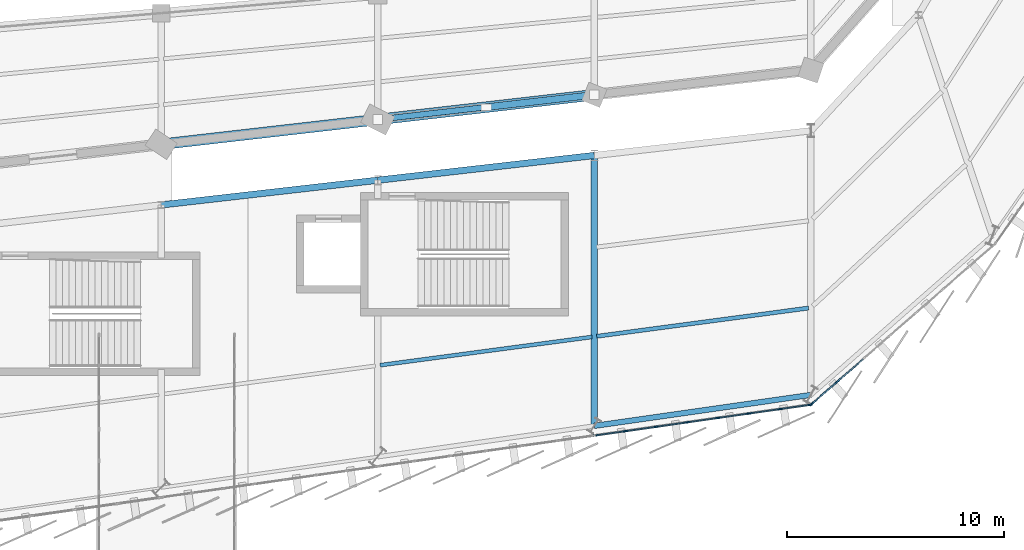
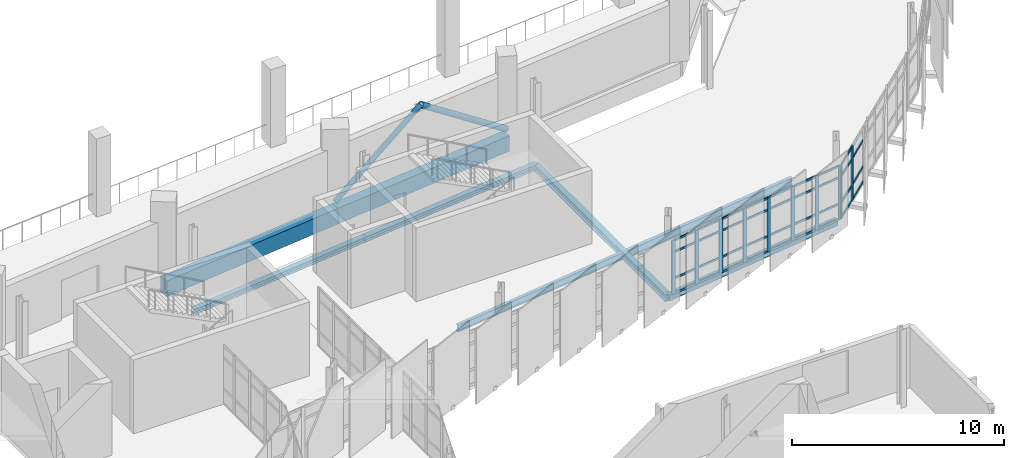
# One storey, part 64 of 125: 47 members, 8 beams, 2 elements without a shape of their own.
"""IFC4 building model written with IfcOpenShell, lengths in metres."""

from ifc_helpers import new_model, si_unit, direction, frame, origin, origin_2d, place, context, subcontext, project, spatial, rectangle, hollow_rectangle, hollow_circle, i_section, extrude, material, layer, layer_set, material_profile, profile_set, type_object, element, aggregate, save


model = new_model("IFC4")

# Units and contexts
model_context = context("Model", 3, precision=1e-05, world=origin(), true_north=direction((0.0, 1.0)))
body_context = subcontext(model_context, "Body", "Model", "MODEL_VIEW")
ifc_project = project(units=[si_unit("LENGTHUNIT", "METRE"), si_unit("AREAUNIT", "SQUARE_METRE"), si_unit("VOLUMEUNIT", "CUBIC_METRE"), si_unit("PLANEANGLEUNIT", "RADIAN"), si_unit("MASSUNIT", "GRAM", prefix="KILO")], contexts=[model_context])

# Site, building, storey
site_placement = place(None, origin())
site = spatial("IfcSite", under=ifc_project, at=site_placement, CompositionType="ELEMENT")
building_placement = place(site_placement, origin())
building = spatial("IfcBuilding", under=site, at=building_placement, Name="Sohan Crest Arena", CompositionType="ELEMENT")
storey_placement = place(building_placement, frame((0.0, 0.0, 9.0)))
storey = spatial("IfcBuildingStorey", under=building, at=storey_placement, Name="L02", CompositionType="ELEMENT", Elevation=9.0)

# Curtain wall, members
ifc_material_1 = material(Name="Thermally broken anodised aluminium", Category="aluminium")
ifc_layer_1 = layer(ifc_material_1, 0.179931640625, Name="Thermally broken anodised aluminium")
ifc_layer_set_1 = layer_set([ifc_layer_1], Name="Thermally broken anodised aluminium")
curtain_wall_type_1 = type_object("IfcCurtainWallType", Name="ARC-CW01", PredefinedType="NOTDEFINED", material=ifc_layer_set_1)
curtain_wall_1_placement = place(storey_placement, origin())
curtain_wall_1 = element("IfcCurtainWall", 1, at=curtain_wall_1_placement, inside=storey, type_object=curtain_wall_type_1, Name="Unitised curtain wall CW-066", PredefinedType="NOTDEFINED")
ifc_material_profile_1 = material_profile(ifc_material_1, rectangle(XDim=0.070068359375, YDim=0.199951171875, at=origin_2d()), Name="ALU-MULL 70x200")
ifc_profile_set_1 = profile_set([ifc_material_profile_1], Name="Thermally broken anodised aluminium")
member_type_1 = type_object("IfcMemberType", Name="ARC-CW-ML03", PredefinedType="MULLION", material=ifc_profile_set_1)
member_1_placement = place(storey_placement, frame((158.03466796875, 38.1259765625, 0.0), z_axis=(0.0, 0.0, 1.0), x_axis=(-0.141462933734, 0.989943553128, 0.0)))
member_1 = element("IfcMember", 2, at=member_1_placement, type_object=member_type_1, Name="CW-066 mullion 1", PredefinedType="MULLION", context=body_context, shape_type="SweptSolid", body=[
    extrude(rectangle(XDim=0.070068359375, YDim=0.199951171875, at=origin_2d()), origin(), (0.0, 0.0, 1.0), 3.1201171875),
])
member_2_placement = place(storey_placement, frame((159.428466796875, 38.3251953125, 0.0), z_axis=(0.0, 0.0, 1.0), x_axis=(-0.141462933734, 0.989943553128, 0.0)))
member_2 = element("IfcMember", 3, at=member_2_placement, type_object=member_type_1, Name="CW-066 mullion 2", PredefinedType="MULLION", context=body_context, shape_type="SweptSolid", body=[
    extrude(rectangle(XDim=0.070068359375, YDim=0.199951171875, at=origin_2d()), origin(), (0.0, 0.0, 1.0), 3.1201171875),
])
member_3_placement = place(storey_placement, frame((160.857177734375, 38.529296875, 0.0), z_axis=(0.0, 0.0, 1.0), x_axis=(-0.141462933734, 0.989943553128, 0.0)))
member_3 = element("IfcMember", 4, at=member_3_placement, type_object=member_type_1, Name="CW-066 mullion 3", PredefinedType="MULLION", context=body_context, shape_type="SweptSolid", body=[
    extrude(rectangle(XDim=0.070068359375, YDim=0.199951171875, at=origin_2d()), origin(), (0.0, 0.0, 1.0), 3.1201171875),
])
member_4_placement = place(storey_placement, frame((162.28564453125, 38.7333984375, 0.0), z_axis=(0.0, 0.0, 1.0), x_axis=(-0.141462933734, 0.989943553128, 0.0)))
member_4 = element("IfcMember", 5, at=member_4_placement, type_object=member_type_1, Name="CW-066 mullion 4", PredefinedType="MULLION", context=body_context, shape_type="SweptSolid", body=[
    extrude(rectangle(XDim=0.070068359375, YDim=0.199951171875, at=origin_2d()), origin(), (0.0, 0.0, 1.0), 3.1201171875),
])
member_5_placement = place(storey_placement, frame((163.71435546875, 38.9375, 0.0), z_axis=(0.0, 0.0, 1.0), x_axis=(-0.141462933734, 0.989943553128, 0.0)))
member_5 = element("IfcMember", 6, at=member_5_placement, type_object=member_type_1, Name="CW-066 mullion 5", PredefinedType="MULLION", context=body_context, shape_type="SweptSolid", body=[
    extrude(rectangle(XDim=0.070068359375, YDim=0.199951171875, at=origin_2d()), origin(), (0.0, 0.0, 1.0), 3.1201171875),
])
member_6_placement = place(storey_placement, frame((165.142822265625, 39.1416015625, 0.0), z_axis=(0.0, 0.0, 1.0), x_axis=(-0.141462933734, 0.989943553128, 0.0)))
member_6 = element("IfcMember", 7, at=member_6_placement, type_object=member_type_1, Name="CW-066 mullion 6", PredefinedType="MULLION", context=body_context, shape_type="SweptSolid", body=[
    extrude(rectangle(XDim=0.070068359375, YDim=0.199951171875, at=origin_2d()), origin(), (0.0, 0.0, 1.0), 3.1201171875),
])
member_7_placement = place(storey_placement, frame((166.571533203125, 39.345947265625, 0.0), z_axis=(0.0, 0.0, 1.0), x_axis=(-0.141462933734, 0.989943553128, 0.0)))
member_7 = element("IfcMember", 8, at=member_7_placement, type_object=member_type_1, Name="CW-066 mullion 7", PredefinedType="MULLION", context=body_context, shape_type="SweptSolid", body=[
    extrude(rectangle(XDim=0.070068359375, YDim=0.199951171875, at=origin_2d()), origin(), (0.0, 0.0, 1.0), 3.1201171875),
])
member_8_placement = place(storey_placement, frame((167.96533203125, 39.545166015625, 0.0), z_axis=(0.0, 0.0, 1.0), x_axis=(-0.141462933734, 0.989943553128, 0.0)))
member_8 = element("IfcMember", 9, at=member_8_placement, type_object=member_type_1, Name="CW-066 mullion 8", PredefinedType="MULLION", context=body_context, shape_type="SweptSolid", body=[
    extrude(rectangle(XDim=0.070068359375, YDim=0.199951171875, at=origin_2d()), origin(), (0.0, 0.0, 1.0), 3.1201171875),
])

ifc_layer_2 = layer(ifc_material_1, 0.199951171875, Name="Thermally broken anodised aluminium")
ifc_layer_set_2 = layer_set([ifc_layer_2], Name="Thermally broken anodised aluminium")
curtain_wall_type_2 = type_object("IfcCurtainWallType", Name="ARC-CW02", PredefinedType="NOTDEFINED", material=ifc_layer_set_2)
curtain_wall_2_placement = place(storey_placement, origin())
curtain_wall_2 = element("IfcCurtainWall", 10, at=curtain_wall_2_placement, inside=storey, type_object=curtain_wall_type_2, Name="Unitised curtain wall CW-067", PredefinedType="NOTDEFINED")
ifc_material_profile_2 = material_profile(ifc_material_1, rectangle(XDim=0.074951171875, YDim=0.219970703125, at=origin_2d()), Name="ALU-MULL 75x220")
ifc_profile_set_2 = profile_set([ifc_material_profile_2], Name="Thermally broken anodised aluminium")
member_type_2 = type_object("IfcMemberType", Name="ARC-CW-ML04", PredefinedType="MULLION", material=ifc_profile_set_2)
member_9_placement = place(storey_placement, frame((168.0283203125, 39.57470703125, 0.0), z_axis=(0.0, 0.0, 1.0), x_axis=(-0.657538815294, 0.753420670265, 0.0)))
member_9 = element("IfcMember", 11, at=member_9_placement, type_object=member_type_2, Name="CW-067 mullion 1", PredefinedType="MULLION", context=body_context, shape_type="SweptSolid", body=[
    extrude(rectangle(XDim=0.074951171875, YDim=0.219970703125, at=origin_2d()), origin(), (0.0, 0.0, 1.0), 3.1201171875),
])
member_10_placement = place(storey_placement, frame((169.2158203125, 40.611083984375, 0.0), z_axis=(0.0, 0.0, 1.0), x_axis=(-0.657538815294, 0.753420670265, 0.0)))
member_10 = element("IfcMember", 12, at=member_10_placement, type_object=member_type_2, Name="CW-067 mullion 2", PredefinedType="MULLION", context=body_context, shape_type="SweptSolid", body=[
    extrude(rectangle(XDim=0.074951171875, YDim=0.219970703125, at=origin_2d()), origin(), (0.0, 0.0, 1.0), 3.1201171875),
])

# Member
ifc_material_profile_3 = material_profile(ifc_material_1, rectangle(XDim=0.06005859375, YDim=0.1201171875, at=origin_2d()), Name="ALU-TRAN 60x120")
ifc_profile_set_3 = profile_set([ifc_material_profile_3], Name="Thermally broken anodised aluminium")
member_type_3 = type_object("IfcMemberType", Name="ARC-CW-TR01", PredefinedType="USERDEFINED", material=ifc_profile_set_3)
member_11_placement = place(storey_placement, frame((158.0693359375, 38.130859375, 0.030029296875), z_axis=(0.989927588819, 0.141574605404, 0.0), x_axis=(-0.141574605404, 0.989927588819, 0.0)))
member_11 = element("IfcMember", 13, at=member_11_placement, type_object=member_type_3, Name="CW-066 transom 1.1", ObjectType="TRANSOM", PredefinedType="USERDEFINED", context=body_context, shape_type="SweptSolid", body=[
    extrude(rectangle(XDim=0.06005859375, YDim=0.1201171875, at=origin_2d()), origin(), (0.0, 0.0, 1.0), 1.338134765625),
])

member_12_placement = place(storey_placement, frame((158.0693359375, 38.130859375, 0.89990234375), z_axis=(0.989927588819, 0.141574605404, 0.0), x_axis=(-0.141574605404, 0.989927588819, 0.0)))
member_12 = element("IfcMember", 14, at=member_12_placement, type_object=member_type_3, Name="CW-066 transom 1.2", ObjectType="TRANSOM", PredefinedType="USERDEFINED", context=body_context, shape_type="SweptSolid", body=[
    extrude(rectangle(XDim=0.06005859375, YDim=0.1201171875, at=origin_2d()), origin(), (0.0, 0.0, 1.0), 1.338134765625),
])

member_13_placement = place(storey_placement, frame((158.0693359375, 38.130859375, 2.419921875), z_axis=(0.989927588819, 0.141574605404, 0.0), x_axis=(-0.141574605404, 0.989927588819, 0.0)))
member_13 = element("IfcMember", 15, at=member_13_placement, type_object=member_type_3, Name="CW-066 transom 1.3", ObjectType="TRANSOM", PredefinedType="USERDEFINED", context=body_context, shape_type="SweptSolid", body=[
    extrude(rectangle(XDim=0.06005859375, YDim=0.1201171875, at=origin_2d()), origin(), (0.0, 0.0, 1.0), 1.338134765625),
])

member_14_placement = place(storey_placement, frame((158.0693359375, 38.130859375, 3.090087890625), z_axis=(0.989927588819, 0.141574605404, 0.0), x_axis=(-0.141574605404, 0.989927588819, 0.0)))
member_14 = element("IfcMember", 16, at=member_14_placement, type_object=member_type_3, Name="CW-066 transom 1.4", ObjectType="TRANSOM", PredefinedType="USERDEFINED", context=body_context, shape_type="SweptSolid", body=[
    extrude(rectangle(XDim=0.06005859375, YDim=0.1201171875, at=origin_2d()), origin(), (0.0, 0.0, 1.0), 1.338134765625),
])

member_15_placement = place(storey_placement, frame((159.463134765625, 38.330078125, 0.030029296875), z_axis=(0.989935265447, 0.141520917977, 0.0), x_axis=(-0.141520917977, 0.989935265447, 0.0)))
member_15 = element("IfcMember", 17, at=member_15_placement, type_object=member_type_3, Name="CW-066 transom 2.1", ObjectType="TRANSOM", PredefinedType="USERDEFINED", context=body_context, shape_type="SweptSolid", body=[
    extrude(rectangle(XDim=0.06005859375, YDim=0.1201171875, at=origin_2d()), origin(), (0.0, 0.0, 1.0), 1.373291015625),
])

member_16_placement = place(storey_placement, frame((159.463134765625, 38.330078125, 0.89990234375), z_axis=(0.989935265447, 0.141520917977, 0.0), x_axis=(-0.141520917977, 0.989935265447, 0.0)))
member_16 = element("IfcMember", 18, at=member_16_placement, type_object=member_type_3, Name="CW-066 transom 2.2", ObjectType="TRANSOM", PredefinedType="USERDEFINED", context=body_context, shape_type="SweptSolid", body=[
    extrude(rectangle(XDim=0.06005859375, YDim=0.1201171875, at=origin_2d()), origin(), (0.0, 0.0, 1.0), 1.373291015625),
])

member_17_placement = place(storey_placement, frame((159.463134765625, 38.330078125, 2.419921875), z_axis=(0.989935265447, 0.141520917977, 0.0), x_axis=(-0.141520917977, 0.989935265447, 0.0)))
member_17 = element("IfcMember", 19, at=member_17_placement, type_object=member_type_3, Name="CW-066 transom 2.3", ObjectType="TRANSOM", PredefinedType="USERDEFINED", context=body_context, shape_type="SweptSolid", body=[
    extrude(rectangle(XDim=0.06005859375, YDim=0.1201171875, at=origin_2d()), origin(), (0.0, 0.0, 1.0), 1.373291015625),
])

member_18_placement = place(storey_placement, frame((159.463134765625, 38.330078125, 3.090087890625), z_axis=(0.989935265447, 0.141520917977, 0.0), x_axis=(-0.141520917977, 0.989935265447, 0.0)))
member_18 = element("IfcMember", 20, at=member_18_placement, type_object=member_type_3, Name="CW-066 transom 2.4", ObjectType="TRANSOM", PredefinedType="USERDEFINED", context=body_context, shape_type="SweptSolid", body=[
    extrude(rectangle(XDim=0.06005859375, YDim=0.1201171875, at=origin_2d()), origin(), (0.0, 0.0, 1.0), 1.373291015625),
])

member_19_placement = place(storey_placement, frame((160.891845703125, 38.5341796875, 0.030029296875), z_axis=(0.989931703696, 0.141545830096, 0.0), x_axis=(-0.141545830096, 0.989931703696, 0.0)))
member_19 = element("IfcMember", 21, at=member_19_placement, type_object=member_type_3, Name="CW-066 transom 3.1", ObjectType="TRANSOM", PredefinedType="USERDEFINED", context=body_context, shape_type="SweptSolid", body=[
    extrude(rectangle(XDim=0.06005859375, YDim=0.1201171875, at=origin_2d()), origin(), (0.0, 0.0, 1.0), 1.373046875),
])

member_20_placement = place(storey_placement, frame((160.891845703125, 38.5341796875, 0.89990234375), z_axis=(0.989931703696, 0.141545830096, 0.0), x_axis=(-0.141545830096, 0.989931703696, 0.0)))
member_20 = element("IfcMember", 22, at=member_20_placement, type_object=member_type_3, Name="CW-066 transom 3.2", ObjectType="TRANSOM", PredefinedType="USERDEFINED", context=body_context, shape_type="SweptSolid", body=[
    extrude(rectangle(XDim=0.06005859375, YDim=0.1201171875, at=origin_2d()), origin(), (0.0, 0.0, 1.0), 1.373046875),
])

member_21_placement = place(storey_placement, frame((160.891845703125, 38.5341796875, 2.419921875), z_axis=(0.989931703696, 0.141545830096, 0.0), x_axis=(-0.141545830096, 0.989931703696, 0.0)))
member_21 = element("IfcMember", 23, at=member_21_placement, type_object=member_type_3, Name="CW-066 transom 3.3", ObjectType="TRANSOM", PredefinedType="USERDEFINED", context=body_context, shape_type="SweptSolid", body=[
    extrude(rectangle(XDim=0.06005859375, YDim=0.1201171875, at=origin_2d()), origin(), (0.0, 0.0, 1.0), 1.373046875),
])

member_22_placement = place(storey_placement, frame((160.891845703125, 38.5341796875, 3.090087890625), z_axis=(0.989931703696, 0.141545830096, 0.0), x_axis=(-0.141545830096, 0.989931703696, 0.0)))
member_22 = element("IfcMember", 24, at=member_22_placement, type_object=member_type_3, Name="CW-066 transom 3.4", ObjectType="TRANSOM", PredefinedType="USERDEFINED", context=body_context, shape_type="SweptSolid", body=[
    extrude(rectangle(XDim=0.06005859375, YDim=0.1201171875, at=origin_2d()), origin(), (0.0, 0.0, 1.0), 1.373046875),
])

member_23_placement = place(storey_placement, frame((162.3203125, 38.73828125, 0.030029296875), z_axis=(0.989935265447, 0.141520917977, 0.0), x_axis=(-0.141520917977, 0.989935265447, 0.0)))
member_23 = element("IfcMember", 25, at=member_23_placement, type_object=member_type_3, Name="CW-066 transom 4.1", ObjectType="TRANSOM", PredefinedType="USERDEFINED", context=body_context, shape_type="SweptSolid", body=[
    extrude(rectangle(XDim=0.06005859375, YDim=0.1201171875, at=origin_2d()), origin(), (0.0, 0.0, 1.0), 1.373291015625),
])

member_24_placement = place(storey_placement, frame((162.3203125, 38.73828125, 0.89990234375), z_axis=(0.989935265447, 0.141520917977, 0.0), x_axis=(-0.141520917977, 0.989935265447, 0.0)))
member_24 = element("IfcMember", 26, at=member_24_placement, type_object=member_type_3, Name="CW-066 transom 4.2", ObjectType="TRANSOM", PredefinedType="USERDEFINED", context=body_context, shape_type="SweptSolid", body=[
    extrude(rectangle(XDim=0.06005859375, YDim=0.1201171875, at=origin_2d()), origin(), (0.0, 0.0, 1.0), 1.373291015625),
])

member_25_placement = place(storey_placement, frame((162.3203125, 38.73828125, 2.419921875), z_axis=(0.989935265447, 0.141520917977, 0.0), x_axis=(-0.141520917977, 0.989935265447, 0.0)))
member_25 = element("IfcMember", 27, at=member_25_placement, type_object=member_type_3, Name="CW-066 transom 4.3", ObjectType="TRANSOM", PredefinedType="USERDEFINED", context=body_context, shape_type="SweptSolid", body=[
    extrude(rectangle(XDim=0.06005859375, YDim=0.1201171875, at=origin_2d()), origin(), (0.0, 0.0, 1.0), 1.373291015625),
])

member_26_placement = place(storey_placement, frame((162.3203125, 38.73828125, 3.090087890625), z_axis=(0.989935265447, 0.141520917977, 0.0), x_axis=(-0.141520917977, 0.989935265447, 0.0)))
member_26 = element("IfcMember", 28, at=member_26_placement, type_object=member_type_3, Name="CW-066 transom 4.4", ObjectType="TRANSOM", PredefinedType="USERDEFINED", context=body_context, shape_type="SweptSolid", body=[
    extrude(rectangle(XDim=0.06005859375, YDim=0.1201171875, at=origin_2d()), origin(), (0.0, 0.0, 1.0), 1.373291015625),
])

member_27_placement = place(storey_placement, frame((163.7490234375, 38.942626953125, 0.030029296875), z_axis=(0.989956605444, 0.141371564815, 0.0), x_axis=(-0.141371564815, 0.989956605444, 0.0)))
member_27 = element("IfcMember", 29, at=member_27_placement, type_object=member_type_3, Name="CW-066 transom 5.1", ObjectType="TRANSOM", PredefinedType="USERDEFINED", context=body_context, shape_type="SweptSolid", body=[
    extrude(rectangle(XDim=0.06005859375, YDim=0.1201171875, at=origin_2d()), origin(), (0.0, 0.0, 1.0), 1.372802734375),
])

member_28_placement = place(storey_placement, frame((163.7490234375, 38.942626953125, 0.89990234375), z_axis=(0.989956605444, 0.141371564815, 0.0), x_axis=(-0.141371564815, 0.989956605444, 0.0)))
member_28 = element("IfcMember", 30, at=member_28_placement, type_object=member_type_3, Name="CW-066 transom 5.2", ObjectType="TRANSOM", PredefinedType="USERDEFINED", context=body_context, shape_type="SweptSolid", body=[
    extrude(rectangle(XDim=0.06005859375, YDim=0.1201171875, at=origin_2d()), origin(), (0.0, 0.0, 1.0), 1.372802734375),
])

member_29_placement = place(storey_placement, frame((163.7490234375, 38.942626953125, 2.419921875), z_axis=(0.989956605444, 0.141371564815, 0.0), x_axis=(-0.141371564815, 0.989956605444, 0.0)))
member_29 = element("IfcMember", 31, at=member_29_placement, type_object=member_type_3, Name="CW-066 transom 5.3", ObjectType="TRANSOM", PredefinedType="USERDEFINED", context=body_context, shape_type="SweptSolid", body=[
    extrude(rectangle(XDim=0.06005859375, YDim=0.1201171875, at=origin_2d()), origin(), (0.0, 0.0, 1.0), 1.372802734375),
])

member_30_placement = place(storey_placement, frame((163.7490234375, 38.942626953125, 3.090087890625), z_axis=(0.989956605444, 0.141371564815, 0.0), x_axis=(-0.141371564815, 0.989956605444, 0.0)))
member_30 = element("IfcMember", 32, at=member_30_placement, type_object=member_type_3, Name="CW-066 transom 5.4", ObjectType="TRANSOM", PredefinedType="USERDEFINED", context=body_context, shape_type="SweptSolid", body=[
    extrude(rectangle(XDim=0.06005859375, YDim=0.1201171875, at=origin_2d()), origin(), (0.0, 0.0, 1.0), 1.372802734375),
])

member_31_placement = place(storey_placement, frame((165.177490234375, 39.146728515625, 0.030029296875), z_axis=(0.989960158519, 0.141346682116, 0.0), x_axis=(-0.141346682116, 0.989960158519, 0.0)))
member_31 = element("IfcMember", 33, at=member_31_placement, type_object=member_type_3, Name="CW-066 transom 6.1", ObjectType="TRANSOM", PredefinedType="USERDEFINED", context=body_context, shape_type="SweptSolid", body=[
    extrude(rectangle(XDim=0.06005859375, YDim=0.1201171875, at=origin_2d()), origin(), (0.0, 0.0, 1.0), 1.373046875),
])

member_32_placement = place(storey_placement, frame((165.177490234375, 39.146728515625, 0.89990234375), z_axis=(0.989960158519, 0.141346682116, 0.0), x_axis=(-0.141346682116, 0.989960158519, 0.0)))
member_32 = element("IfcMember", 34, at=member_32_placement, type_object=member_type_3, Name="CW-066 transom 6.2", ObjectType="TRANSOM", PredefinedType="USERDEFINED", context=body_context, shape_type="SweptSolid", body=[
    extrude(rectangle(XDim=0.06005859375, YDim=0.1201171875, at=origin_2d()), origin(), (0.0, 0.0, 1.0), 1.373046875),
])

member_33_placement = place(storey_placement, frame((165.177490234375, 39.146728515625, 2.419921875), z_axis=(0.989960158519, 0.141346682116, 0.0), x_axis=(-0.141346682116, 0.989960158519, 0.0)))
member_33 = element("IfcMember", 35, at=member_33_placement, type_object=member_type_3, Name="CW-066 transom 6.3", ObjectType="TRANSOM", PredefinedType="USERDEFINED", context=body_context, shape_type="SweptSolid", body=[
    extrude(rectangle(XDim=0.06005859375, YDim=0.1201171875, at=origin_2d()), origin(), (0.0, 0.0, 1.0), 1.373046875),
])

member_34_placement = place(storey_placement, frame((165.177490234375, 39.146728515625, 3.090087890625), z_axis=(0.989960158519, 0.141346682116, 0.0), x_axis=(-0.141346682116, 0.989960158519, 0.0)))
member_34 = element("IfcMember", 36, at=member_34_placement, type_object=member_type_3, Name="CW-066 transom 6.4", ObjectType="TRANSOM", PredefinedType="USERDEFINED", context=body_context, shape_type="SweptSolid", body=[
    extrude(rectangle(XDim=0.06005859375, YDim=0.1201171875, at=origin_2d()), origin(), (0.0, 0.0, 1.0), 1.373046875),
])

member_35_placement = place(storey_placement, frame((166.60595703125, 39.350830078125, 0.030029296875), z_axis=(0.989953142256, 0.141395813721, 0.0), x_axis=(-0.141395813721, 0.989953142256, 0.0)))
member_35 = element("IfcMember", 37, at=member_35_placement, type_object=member_type_3, Name="CW-066 transom 7.1", ObjectType="TRANSOM", PredefinedType="USERDEFINED", context=body_context, shape_type="SweptSolid", body=[
    extrude(rectangle(XDim=0.06005859375, YDim=0.1201171875, at=origin_2d()), origin(), (0.0, 0.0, 1.0), 1.338134765625),
])

member_36_placement = place(storey_placement, frame((166.60595703125, 39.350830078125, 0.89990234375), z_axis=(0.989953142256, 0.141395813721, 0.0), x_axis=(-0.141395813721, 0.989953142256, 0.0)))
member_36 = element("IfcMember", 38, at=member_36_placement, type_object=member_type_3, Name="CW-066 transom 7.2", ObjectType="TRANSOM", PredefinedType="USERDEFINED", context=body_context, shape_type="SweptSolid", body=[
    extrude(rectangle(XDim=0.06005859375, YDim=0.1201171875, at=origin_2d()), origin(), (0.0, 0.0, 1.0), 1.338134765625),
])

member_37_placement = place(storey_placement, frame((166.60595703125, 39.350830078125, 2.419921875), z_axis=(0.989953142256, 0.141395813721, 0.0), x_axis=(-0.141395813721, 0.989953142256, 0.0)))
member_37 = element("IfcMember", 39, at=member_37_placement, type_object=member_type_3, Name="CW-066 transom 7.3", ObjectType="TRANSOM", PredefinedType="USERDEFINED", context=body_context, shape_type="SweptSolid", body=[
    extrude(rectangle(XDim=0.06005859375, YDim=0.1201171875, at=origin_2d()), origin(), (0.0, 0.0, 1.0), 1.338134765625),
])

member_38_placement = place(storey_placement, frame((166.60595703125, 39.350830078125, 3.090087890625), z_axis=(0.989953142256, 0.141395813721, 0.0), x_axis=(-0.141395813721, 0.989953142256, 0.0)))
member_38 = element("IfcMember", 40, at=member_38_placement, type_object=member_type_3, Name="CW-066 transom 7.4", ObjectType="TRANSOM", PredefinedType="USERDEFINED", context=body_context, shape_type="SweptSolid", body=[
    extrude(rectangle(XDim=0.06005859375, YDim=0.1201171875, at=origin_2d()), origin(), (0.0, 0.0, 1.0), 1.338134765625),
])

aggregate(curtain_wall_1, [member_1, member_2, member_3, member_4, member_5, member_6, member_7, member_8, member_11, member_12, member_13, member_14, member_15, member_16, member_17, member_18, member_19, member_20, member_21, member_22, member_23, member_24, member_25, member_26, member_27, member_28, member_29, member_30, member_31, member_32, member_33, member_34, member_35, member_36, member_37, member_38])

ifc_material_profile_4 = material_profile(ifc_material_1, rectangle(XDim=0.06494140625, YDim=0.139892578125, at=origin_2d()), Name="ALU-TRAN 65x140")
ifc_profile_set_4 = profile_set([ifc_material_profile_4], Name="Thermally broken anodised aluminium")
member_type_4 = type_object("IfcMemberType", Name="ARC-CW-TR02", PredefinedType="USERDEFINED", material=ifc_profile_set_4)
member_39_placement = place(storey_placement, frame((168.056396484375, 39.599365234375, 0.032470703125), z_axis=(0.753452488749, 0.65750235528, 0.0), x_axis=(-0.65750235528, 0.753452488749, 0.0)))
member_39 = element("IfcMember", 41, at=member_39_placement, type_object=member_type_4, Name="CW-067 transom 1.1", ObjectType="TRANSOM", PredefinedType="USERDEFINED", context=body_context, shape_type="SweptSolid", body=[
    extrude(rectangle(XDim=0.06494140625, YDim=0.139892578125, at=origin_2d()), origin(), (0.0, 0.0, 1.0), 1.501220703125),
])

member_40_placement = place(storey_placement, frame((168.056396484375, 39.599365234375, 0.89990234375), z_axis=(0.753452488749, 0.65750235528, 0.0), x_axis=(-0.65750235528, 0.753452488749, 0.0)))
member_40 = element("IfcMember", 42, at=member_40_placement, type_object=member_type_4, Name="CW-067 transom 1.2", ObjectType="TRANSOM", PredefinedType="USERDEFINED", context=body_context, shape_type="SweptSolid", body=[
    extrude(rectangle(XDim=0.06494140625, YDim=0.139892578125, at=origin_2d()), origin(), (0.0, 0.0, 1.0), 1.501220703125),
])

member_41_placement = place(storey_placement, frame((168.056396484375, 39.599365234375, 2.419921875), z_axis=(0.753452488749, 0.65750235528, 0.0), x_axis=(-0.65750235528, 0.753452488749, 0.0)))
member_41 = element("IfcMember", 43, at=member_41_placement, type_object=member_type_4, Name="CW-067 transom 1.3", ObjectType="TRANSOM", PredefinedType="USERDEFINED", context=body_context, shape_type="SweptSolid", body=[
    extrude(rectangle(XDim=0.06494140625, YDim=0.139892578125, at=origin_2d()), origin(), (0.0, 0.0, 1.0), 1.501220703125),
])

member_42_placement = place(storey_placement, frame((168.056396484375, 39.599365234375, 3.08740234375), z_axis=(0.753452488749, 0.65750235528, 0.0), x_axis=(-0.65750235528, 0.753452488749, 0.0)))
member_42 = element("IfcMember", 44, at=member_42_placement, type_object=member_type_4, Name="CW-067 transom 1.4", ObjectType="TRANSOM", PredefinedType="USERDEFINED", context=body_context, shape_type="SweptSolid", body=[
    extrude(rectangle(XDim=0.06494140625, YDim=0.139892578125, at=origin_2d()), origin(), (0.0, 0.0, 1.0), 1.501220703125),
])

member_43_placement = place(storey_placement, frame((169.243896484375, 40.6357421875, 0.032470703125), z_axis=(0.753401788907, 0.657560449291, 0.0), x_axis=(-0.657560449291, 0.753401788907, 0.0)))
member_43 = element("IfcMember", 45, at=member_43_placement, type_object=member_type_4, Name="CW-067 transom 2.1", ObjectType="TRANSOM", PredefinedType="USERDEFINED", context=body_context, shape_type="SweptSolid", body=[
    extrude(rectangle(XDim=0.06494140625, YDim=0.139892578125, at=origin_2d()), origin(), (0.0, 0.0, 1.0), 1.53857421875),
])

member_44_placement = place(storey_placement, frame((169.243896484375, 40.6357421875, 0.89990234375), z_axis=(0.753401788907, 0.657560449291, 0.0), x_axis=(-0.657560449291, 0.753401788907, 0.0)))
member_44 = element("IfcMember", 46, at=member_44_placement, type_object=member_type_4, Name="CW-067 transom 2.2", ObjectType="TRANSOM", PredefinedType="USERDEFINED", context=body_context, shape_type="SweptSolid", body=[
    extrude(rectangle(XDim=0.06494140625, YDim=0.139892578125, at=origin_2d()), origin(), (0.0, 0.0, 1.0), 1.53857421875),
])

member_45_placement = place(storey_placement, frame((169.243896484375, 40.6357421875, 2.419921875), z_axis=(0.753401788907, 0.657560449291, 0.0), x_axis=(-0.657560449291, 0.753401788907, 0.0)))
member_45 = element("IfcMember", 47, at=member_45_placement, type_object=member_type_4, Name="CW-067 transom 2.3", ObjectType="TRANSOM", PredefinedType="USERDEFINED", context=body_context, shape_type="SweptSolid", body=[
    extrude(rectangle(XDim=0.06494140625, YDim=0.139892578125, at=origin_2d()), origin(), (0.0, 0.0, 1.0), 1.53857421875),
])

aggregate(curtain_wall_2, [member_9, member_10, member_39, member_40, member_41, member_42, member_43, member_44, member_45])

# Beams
ifc_material_2 = material(Name="Steel S355", Category="steel")
ifc_material_profile_5 = material_profile(ifc_material_2, i_section(OverallWidth=0.179931640625, OverallDepth=0.39990234375, WebThickness=0.008544921875, FlangeThickness=0.013427734375, at=origin_2d()), Name="IPE 400")
ifc_profile_set_5 = profile_set([ifc_material_profile_5], Name="Steel S355")
beam_type_1 = type_object("IfcBeamType", Name="STR-BM-B03", PredefinedType="JOIST", material=ifc_profile_set_5)
beam_1_placement = place(storey_placement, frame((148.10888671875, 41.3720703125, -0.449951171875), z_axis=(0.991232437337, 0.132129690721, 0.0), x_axis=(-0.132129690721, 0.991232437337, 0.0)))
element("IfcBeam", 48, at=beam_1_placement, inside=storey, type_object=beam_type_1, Name="Structural beam J-L02-1320", PredefinedType="JOIST", context=body_context, shape_type="SweptSolid", body=[
    extrude(i_section(OverallWidth=0.179931640625, OverallDepth=0.39990234375, WebThickness=0.008544921875, FlangeThickness=0.013427734375, at=origin_2d()), origin(), (0.0, 0.0, 1.0), 9.86865234375),
])
ifc_material_profile_6 = material_profile(ifc_material_2, i_section(OverallWidth=0.18994140625, OverallDepth=0.449951171875, WebThickness=0.009521484375, FlangeThickness=0.0146484375, at=origin_2d()), Name="IPE 450")
ifc_profile_set_6 = profile_set([ifc_material_profile_6], Name="Steel S355")
beam_type_2 = type_object("IfcBeamType", Name="STR-BM-B04", PredefinedType="JOIST", material=ifc_profile_set_6)
beam_2_placement = place(storey_placement, frame((158.10888671875, 42.7060546875, -0.47509765625), z_axis=(0.991219472477, 0.132226916252, 0.0), x_axis=(-0.132226916252, 0.991219472477, 0.0)))
element("IfcBeam", 49, at=beam_2_placement, inside=storey, type_object=beam_type_2, Name="Structural beam J-L02-1325", PredefinedType="JOIST", context=body_context, shape_type="SweptSolid", body=[
    extrude(i_section(OverallWidth=0.18994140625, OverallDepth=0.449951171875, WebThickness=0.009521484375, FlangeThickness=0.0146484375, at=origin_2d()), origin(), (0.0, 0.0, 1.0), 9.868896484375),
])
ifc_material_profile_7 = material_profile(ifc_material_2, i_section(OverallWidth=0.300048828125, OverallDepth=0.300048828125, WebThickness=0.010986328125, FlangeThickness=0.01904296875, at=origin_2d()), Name="HEB 300")
ifc_profile_set_7 = profile_set([ifc_material_profile_7], Name="Steel S355")
beam_type_3 = type_object("IfcBeamType", Name="STR-BM-B12", PredefinedType="BEAM", material=ifc_profile_set_7)
for number, where, z_axis, x_axis, name in (
    (50, (138.0, 48.77099609375, -0.39990234375), (0.99353032697, 0.113567114035, 0.0), (-0.113567114035, 0.99353032697, 0.0), "Structural beam G-L02-1313"),
    (51, (148.0, 49.9140625, -0.39990234375), (0.993533063564, 0.113543170668, 0.0), (-0.113543170668, 0.993533063564, 0.0), "Structural beam G-L02-1318"),
):
    element("IfcBeam", number, at=place(storey_placement, frame(where, z_axis=z_axis, x_axis=x_axis)), inside=storey, type_object=beam_type_3, Name=name, PredefinedType="BEAM", context=body_context, shape_type="SweptSolid", body=[
        extrude(i_section(OverallWidth=0.300048828125, OverallDepth=0.300048828125, WebThickness=0.010986328125, FlangeThickness=0.01904296875, at=origin_2d()), origin(), (0.0, 0.0, 1.0), 10.065185546875),
    ])
ifc_material_profile_8 = material_profile(ifc_material_2, i_section(OverallWidth=0.300048828125, OverallDepth=0.39990234375, WebThickness=0.013427734375, FlangeThickness=0.02392578125, at=origin_2d()), Name="HEB 400")
ifc_profile_set_8 = profile_set([ifc_material_profile_8], Name="Steel S355")
beam_type_4 = type_object("IfcBeamType", Name="STR-BM-B13", PredefinedType="BEAM", material=ifc_profile_set_8)
beam_3_placement = place(storey_placement, frame((158.0, 51.056884765625, -0.449951171875), z_axis=(0.0, -1.0, 0.0), x_axis=(1.0, 0.0, 0.0)))
element("IfcBeam", 52, at=beam_3_placement, inside=storey, type_object=beam_type_4, Name="Structural beam G-L02-1321", PredefinedType="BEAM", context=body_context, shape_type="SweptSolid", body=[
    extrude(i_section(OverallWidth=0.300048828125, OverallDepth=0.39990234375, WebThickness=0.013427734375, FlangeThickness=0.02392578125, at=origin_2d()), origin(), (0.0, 0.0, 1.0), 12.48583984375),
])
ifc_material_profile_9 = material_profile(ifc_material_2, hollow_rectangle(XDim=0.25, YDim=0.35009765625, WallThickness=0.012451171875, at=origin_2d()), Name="RHS 350x250x12.5")
ifc_profile_set_9 = profile_set([ifc_material_profile_9], Name="Steel S355")
beam_type_5 = type_object("IfcBeamType", Name="STR-BM-SP04", PredefinedType="SPANDREL", material=ifc_profile_set_9)
beam_4_placement = place(storey_placement, frame((158.0, 38.571044921875, -0.425048828125), z_axis=(0.989944175879, 0.141458575718, 0.0), x_axis=(-0.141458575718, 0.989944175879, 0.0)))
element("IfcBeam", 53, at=beam_4_placement, inside=storey, type_object=beam_type_5, Name="Structural beam SP-L02-1323", PredefinedType="SPANDREL", context=body_context, shape_type="SweptSolid", body=[
    extrude(hollow_rectangle(XDim=0.25, YDim=0.35009765625, WallThickness=0.012451171875, at=origin_2d()), origin(), (0.0, 0.0, 1.0), 10.1015625),
])
ifc_material_3 = material(Name="Concrete C40/50", Category="concrete")
ifc_material_profile_10 = material_profile(ifc_material_3, rectangle(XDim=0.5, YDim=0.89990234375, at=origin_2d()), Name="RC-BM 500x900")
ifc_profile_set_10 = profile_set([ifc_material_profile_10], Name="Concrete C40/50")
beam_type_6 = type_object("IfcBeamType", Name="STR-BM-TB03", PredefinedType="BEAM", material=ifc_profile_set_10)
for number, where, z_axis, x_axis, name in (
    (54, (138.0, 51.571044921875, -0.699951171875), (0.99353032697, 0.113567114035, 0.0), (-0.113567114035, 0.99353032697, 0.0), "Structural beam TB-L02-0422"),
    (55, (148.0, 52.714111328125, -0.699951171875), (0.993533063564, 0.113543170668, 0.0), (-0.113543170668, 0.993533063564, 0.0), "Structural beam TB-L02-0444"),
):
    element("IfcBeam", number, at=place(storey_placement, frame(where, z_axis=z_axis, x_axis=x_axis)), inside=storey, type_object=beam_type_6, Name=name, PredefinedType="BEAM", context=body_context, shape_type="SweptSolid", body=[
        extrude(rectangle(XDim=0.5, YDim=0.89990234375, at=origin_2d()), origin(), (0.0, 0.0, 1.0), 10.065185546875),
    ])

# Members
ifc_material_profile_11 = material_profile(ifc_material_2, hollow_circle(Radius=0.136474609375, WallThickness=0.012451171875, at=origin_2d()), Name="CHS 273x12.5")
ifc_profile_set_11 = profile_set([ifc_material_profile_11], Name="Steel S355")
member_type_5 = type_object("IfcMemberType", Name="STR-MEM-BR02", PredefinedType="BRACE", material=ifc_profile_set_11)
member_46_placement = place(storey_placement, frame((148.0, 52.714111328125, 0.0), z_axis=(0.815672477088, 0.093117297433, 0.570970733961), x_axis=(-0.113423450863, 0.993546738103, 0.0)))
element("IfcMember", 56, at=member_46_placement, inside=storey, type_object=member_type_5, Name="Concentric lateral chevron brace BR-021", PredefinedType="BRACE", context=body_context, shape_type="SweptSolid", body=[
    extrude(hollow_circle(Radius=0.136474609375, WallThickness=0.012451171875, at=origin_2d()), origin(), (0.0, 0.0, 1.0), 6.1298828125),
])
ifc_material_profile_12 = material_profile(ifc_material_2, hollow_circle(Radius=0.161865234375, WallThickness=0.012451171875, at=origin_2d()), Name="CHS 323.9x12.5")
ifc_profile_set_12 = profile_set([ifc_material_profile_12], Name="Steel S355")
member_type_6 = type_object("IfcMemberType", Name="STR-MEM-BR03", PredefinedType="BRACE", material=ifc_profile_set_12)
member_47_placement = place(storey_placement, frame((158.0, 53.85693359375, 0.0), z_axis=(-0.815657336104, -0.093314704028, 0.570960135273), x_axis=(0.113662885526, -0.993519374977, 0.0)))
element("IfcMember", 57, at=member_47_placement, inside=storey, type_object=member_type_6, Name="Concentric lateral chevron brace BR-022", PredefinedType="BRACE", context=body_context, shape_type="SweptSolid", body=[
    extrude(hollow_circle(Radius=0.161865234375, WallThickness=0.012451171875, at=origin_2d()), origin(), (0.0, 0.0, 1.0), 6.130126953125),
])

save(model, "model.ifc")
